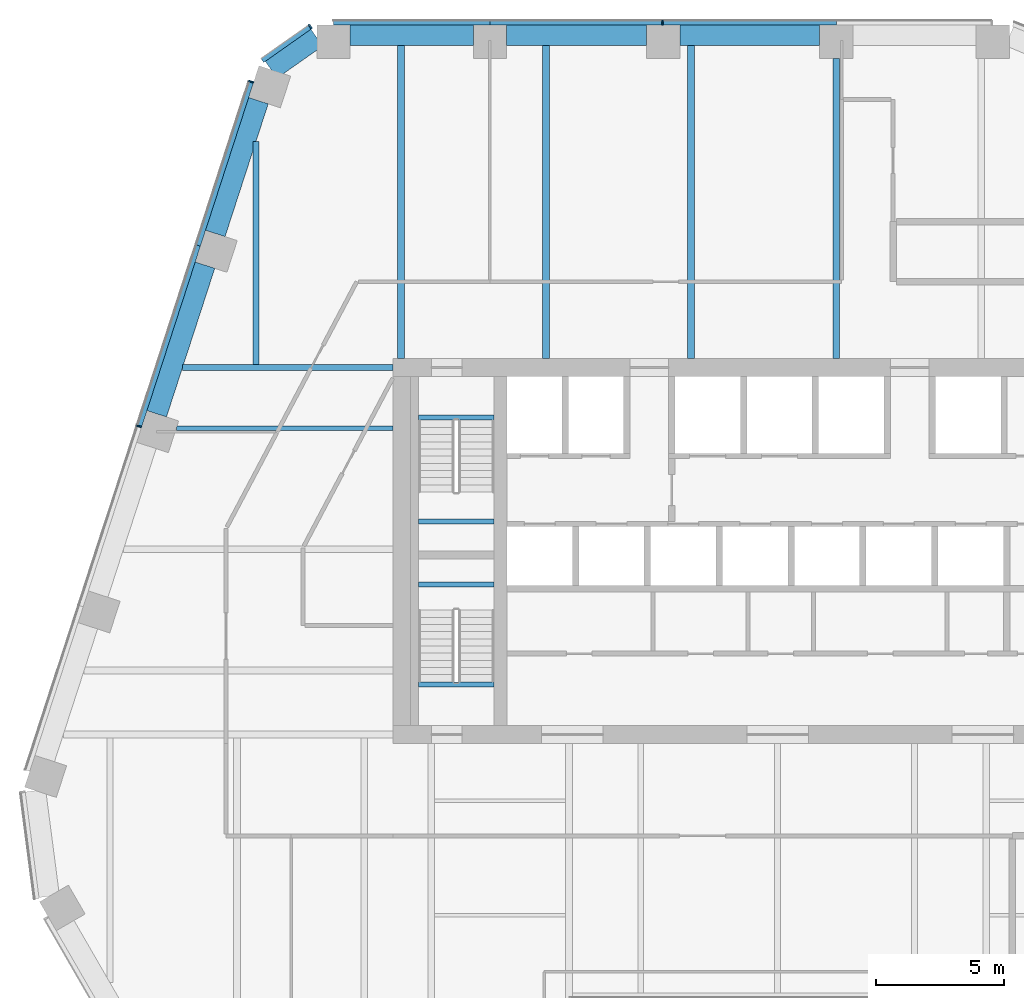
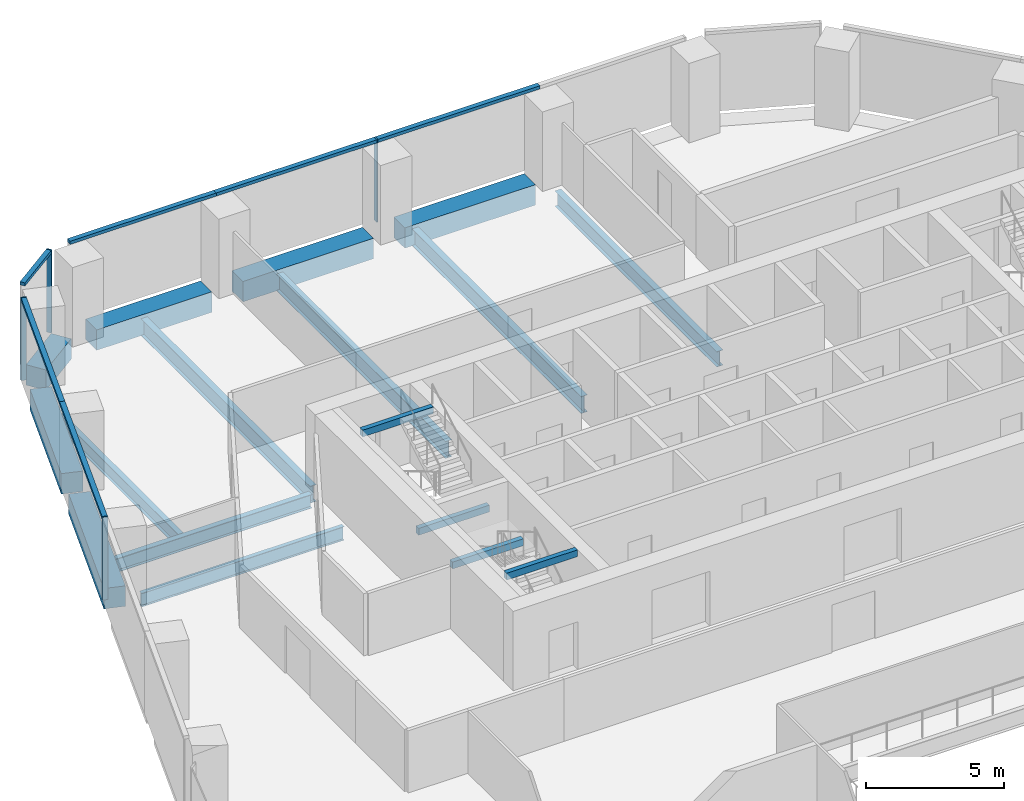
# One storey, part 7 of 16: 17 beams, 10 members, 3 elements without a shape of their own.
"""IFC4 building model written with IfcOpenShell, lengths in metres."""

from ifc_helpers import new_model, si_unit, direction, frame, origin, origin_2d, place, context, subcontext, project, spatial, rectangle, i_section, extrude, material, layer, layer_set, material_profile, profile_set, type_object, element, aggregate, save


model = new_model("IFC4")

# Units and contexts
model_context = context("Model", 3, precision=1e-05, world=origin(), true_north=direction((0.0, 1.0)))
body_context = subcontext(model_context, "Body", "Model", "MODEL_VIEW")
ifc_project = project(units=[si_unit("LENGTHUNIT", "METRE"), si_unit("AREAUNIT", "SQUARE_METRE"), si_unit("VOLUMEUNIT", "CUBIC_METRE"), si_unit("PLANEANGLEUNIT", "RADIAN"), si_unit("MASSUNIT", "GRAM", prefix="KILO")], contexts=[model_context])

# Site, building, storey
site_placement = place(None, origin())
site = spatial("IfcSite", under=ifc_project, at=site_placement, CompositionType="ELEMENT")
building_placement = place(site_placement, origin())
building = spatial("IfcBuilding", under=site, at=building_placement, Name="Isthmus Gate Tower", CompositionType="ELEMENT")
storey_placement = place(building_placement, frame((0.0, 0.0, 178.10009765625)))
storey = spatial("IfcBuildingStorey", under=building, at=storey_placement, Name="L44", CompositionType="ELEMENT", Elevation=178.10009765625)

# Curtain wall, member
ifc_material_1 = material(Name="Aluminium, pale champagne anodised", Category="aluminium")
ifc_layer = layer(ifc_material_1, 0.199951171875)
ifc_layer_set = layer_set([ifc_layer], Name="CW-1 UNITISED CURTAIN WALL 200 DEEP")
curtain_wall_type = type_object("IfcCurtainWallType", Name="CW-1 UNITISED CURTAIN WALL 200 DEEP", PredefinedType="NOTDEFINED", material=ifc_layer_set)
curtain_wall_1_placement = place(storey_placement, origin())
curtain_wall_1 = element("IfcCurtainWall", 1, at=curtain_wall_1_placement, inside=storey, type_object=curtain_wall_type, Name="CW-1 N L44", PredefinedType="NOTDEFINED")
ifc_material_2 = material(Name="Aluminium, pale champagne anodised", Category="aluminium")
ifc_material_profile_1 = material_profile(ifc_material_2, rectangle(XDim=0.06005859375, YDim=0.199951171875, at=origin_2d()), Name="60x200")
ifc_profile_set_1 = profile_set([ifc_material_profile_1], Name="Aluminium, pale champagne anodised")
member_type_1 = type_object("IfcMemberType", Name="CW-1 MULLION 60 X 200", PredefinedType="MULLION", material=ifc_profile_set_1)
member_1_placement = place(storey_placement, frame((-4.49169921875, 28.10009765625, 0.0), z_axis=(0.0, 0.0, 1.0), x_axis=(-1.0, 0.0, 0.0)))
member_1 = element("IfcMember", 2, at=member_1_placement, type_object=member_type_1, Name="CW-1 mullion", PredefinedType="MULLION", context=body_context, shape_type="SweptSolid", body=[
    extrude(rectangle(XDim=0.06005859375, YDim=0.199951171875, at=origin_2d()), origin(), (0.0, 0.0, 1.0), 3.64990234375),
])

curtain_wall_2_placement = place(storey_placement, origin())
curtain_wall_2 = element("IfcCurtainWall", 3, at=curtain_wall_2_placement, inside=storey, type_object=curtain_wall_type, Name="CW-1 N-NW L44", PredefinedType="NOTDEFINED")
member_2_placement = place(storey_placement, frame((-18.216552734375, 27.943115234375, 0.0), z_axis=(0.0, 0.0, 1.0), x_axis=(-0.81785959165, -0.57541783805, 0.0)))
member_2 = element("IfcMember", 4, at=member_2_placement, type_object=member_type_1, Name="CW-1 mullion", PredefinedType="MULLION", context=body_context, shape_type="SweptSolid", body=[
    extrude(rectangle(XDim=0.06005859375, YDim=0.199951171875, at=origin_2d()), origin(), (0.0, 0.0, 1.0), 3.64990234375),
])

# Curtain wall, members
curtain_wall_3_placement = place(storey_placement, origin())
curtain_wall_3 = element("IfcCurtainWall", 5, at=curtain_wall_3_placement, inside=storey, type_object=curtain_wall_type, Name="CW-1 NW L44", PredefinedType="NOTDEFINED")
member_3_placement = place(storey_placement, frame((-20.52001953125, 25.799072265625, 0.0), z_axis=(0.0, 0.0, 1.0), x_axis=(-0.309016994375, -0.951056516295, 0.0)))
member_3 = element("IfcMember", 6, at=member_3_placement, type_object=member_type_1, Name="CW-1 mullion", PredefinedType="MULLION", context=body_context, shape_type="SweptSolid", body=[
    extrude(rectangle(XDim=0.06005859375, YDim=0.199951171875, at=origin_2d()), origin(), (0.0, 0.0, 1.0), 3.64990234375),
])
member_4_placement = place(storey_placement, frame((-24.886962890625, 12.359130859375, 0.0), z_axis=(0.0, 0.0, 1.0), x_axis=(-0.309016994375, -0.951056516295, 0.0)))
member_4 = element("IfcMember", 7, at=member_4_placement, type_object=member_type_1, Name="CW-1 mullion", PredefinedType="MULLION", context=body_context, shape_type="SweptSolid", body=[
    extrude(rectangle(XDim=0.06005859375, YDim=0.199951171875, at=origin_2d()), origin(), (0.0, 0.0, 1.0), 3.64990234375),
])

# Member
ifc_material_3 = material(Name="Aluminium, pale champagne anodised", Category="aluminium")
ifc_material_profile_2 = material_profile(ifc_material_3, rectangle(XDim=0.199951171875, YDim=0.139892578125, at=origin_2d()), Name="200x140")
ifc_profile_set_2 = profile_set([ifc_material_profile_2], Name="Aluminium, pale champagne anodised")
member_type_2 = type_object("IfcMemberType", Name="CW-1 TRANSOM 200 X 140", PredefinedType="USERDEFINED", material=ifc_profile_set_2)
member_5_placement = place(storey_placement, frame((2.288330078125, 28.10009765625, 3.579833984375), z_axis=(-1.0, 0.0, 0.0), x_axis=(0.0, -1.0, 0.0)))
member_5 = element("IfcMember", 8, at=member_5_placement, type_object=member_type_2, Name="CW-1 transom", ObjectType="TRANSOM", PredefinedType="USERDEFINED", context=body_context, shape_type="SweptSolid", body=[
    extrude(rectangle(XDim=0.199951171875, YDim=0.139892578125, at=origin_2d()), origin(), (0.0, 0.0, 1.0), 6.75),
])

member_6_placement = place(storey_placement, frame((-4.521728515625, 28.10009765625, 3.579833984375), z_axis=(-1.0, 0.0, 0.0), x_axis=(0.0, -1.0, 0.0)))
member_6 = element("IfcMember", 9, at=member_6_placement, type_object=member_type_2, Name="CW-1 transom", ObjectType="TRANSOM", PredefinedType="USERDEFINED", context=body_context, shape_type="SweptSolid", body=[
    extrude(rectangle(XDim=0.199951171875, YDim=0.139892578125, at=origin_2d()), origin(), (0.0, 0.0, 1.0), 6.690185546875),
])

member_7_placement = place(storey_placement, frame((-11.2119140625, 28.10009765625, 3.579833984375), z_axis=(-1.0, 0.0, 0.0), x_axis=(0.0, -1.0, 0.0)))
member_7 = element("IfcMember", 10, at=member_7_placement, type_object=member_type_2, Name="CW-1 transom", ObjectType="TRANSOM", PredefinedType="USERDEFINED", context=body_context, shape_type="SweptSolid", body=[
    extrude(rectangle(XDim=0.199951171875, YDim=0.139892578125, at=origin_2d()), origin(), (0.0, 0.0, 1.0), 6.10009765625),
])

aggregate(curtain_wall_1, [member_5, member_1, member_6, member_7])

member_8_placement = place(storey_placement, frame((-18.2412109375, 27.92578125, 3.579833984375), z_axis=(-0.817868595604, -0.575405040233, 0.0), x_axis=(0.575405040233, -0.817868595604, 0.0)))
member_8 = element("IfcMember", 11, at=member_8_placement, type_object=member_type_2, Name="CW-1 transom", ObjectType="TRANSOM", PredefinedType="USERDEFINED", context=body_context, shape_type="SweptSolid", body=[
    extrude(rectangle(XDim=0.199951171875, YDim=0.139892578125, at=origin_2d()), origin(), (0.0, 0.0, 1.0), 2.258544921875),
])

aggregate(curtain_wall_2, [member_2, member_8])

member_9_placement = place(storey_placement, frame((-20.529296875, 25.7705078125, 3.579833984375), z_axis=(-0.309015834351, -0.951056893209, 0.0), x_axis=(0.951056893209, -0.309015834351, 0.0)))
member_9 = element("IfcMember", 12, at=member_9_placement, type_object=member_type_2, Name="CW-1 transom", ObjectType="TRANSOM", PredefinedType="USERDEFINED", context=body_context, shape_type="SweptSolid", body=[
    extrude(rectangle(XDim=0.199951171875, YDim=0.139892578125, at=origin_2d()), origin(), (0.0, 0.0, 1.0), 6.6806640625),
])

member_10_placement = place(storey_placement, frame((-22.59375, 19.416748046875, 3.579833984375), z_axis=(-0.309024076379, -0.951054215183, 0.0), x_axis=(0.951054215183, -0.309024076379, 0.0)))
member_10 = element("IfcMember", 13, at=member_10_placement, type_object=member_type_2, Name="CW-1 transom", ObjectType="TRANSOM", PredefinedType="USERDEFINED", context=body_context, shape_type="SweptSolid", body=[
    extrude(rectangle(XDim=0.199951171875, YDim=0.139892578125, at=origin_2d()), origin(), (0.0, 0.0, 1.0), 7.390869140625),
])

aggregate(curtain_wall_3, [member_3, member_9, member_10, member_4])

# Beams
ifc_material_4 = material(Name="Concrete f'c 60 MPa", Category="concrete")
ifc_material_profile_3 = material_profile(ifc_material_4, rectangle(XDim=0.800048828125, YDim=0.89990234375, at=origin_2d()), Name="RC 800X900")
ifc_profile_set_3 = profile_set([ifc_material_profile_3], Name="Concrete f'c 60 MPa")
beam_type_1 = type_object("IfcBeamType", Name="RC SPANDREL 800 X 900", PredefinedType="SPANDREL", material=ifc_profile_set_3)
beam_1_placement = place(storey_placement, frame((-24.201416015625, 12.851318359375, -0.4501953125), z_axis=(0.309039848514, 0.951049090232, 0.0), x_axis=(-0.951049090232, 0.309039848514, 0.0)))
element("IfcBeam", 14, at=beam_1_placement, inside=storey, type_object=beam_type_1, Name="str-spandrel-L44-23", PredefinedType="SPANDREL", context=body_context, shape_type="SweptSolid", body=[
    extrude(rectangle(XDim=0.800048828125, YDim=0.89990234375, at=origin_2d()), origin(), (0.0, 0.0, 1.0), 6.0908203125),
])
beam_2_placement = place(storey_placement, frame((-21.91748046875, 19.88037109375, -0.4501953125), z_axis=(0.309030267747, 0.951052203413, 0.0), x_axis=(-0.951052203413, 0.309030267747, 0.0)))
element("IfcBeam", 15, at=beam_2_placement, inside=storey, type_object=beam_type_1, Name="str-spandrel-L44-24", PredefinedType="SPANDREL", context=body_context, shape_type="SweptSolid", body=[
    extrude(rectangle(XDim=0.800048828125, YDim=0.89990234375, at=origin_2d()), origin(), (0.0, 0.0, 1.0), 5.44091796875),
])
beam_3_placement = place(storey_placement, frame((-19.7392578125, 26.260498046875, -0.4501953125), z_axis=(0.817857331203, 0.575421050882, 0.0), x_axis=(-0.575421050882, 0.817857331203, 0.0)))
element("IfcBeam", 16, at=beam_3_placement, inside=storey, type_object=beam_type_1, Name="str-spandrel-L44-25", PredefinedType="SPANDREL", context=body_context, shape_type="SweptSolid", body=[
    extrude(rectangle(XDim=0.800048828125, YDim=0.89990234375, at=origin_2d()), origin(), (0.0, 0.0, 1.0), 2.173095703125),
])
beam_4_placement = place(storey_placement, frame((-16.661865234375, 27.60009765625, -0.4501953125), z_axis=(1.0, 0.0, 0.0), x_axis=(0.0, 1.0, 0.0)))
element("IfcBeam", 17, at=beam_4_placement, inside=storey, type_object=beam_type_1, Name="str-spandrel-L44-26", PredefinedType="SPANDREL", context=body_context, shape_type="SweptSolid", body=[
    extrude(rectangle(XDim=0.800048828125, YDim=0.89990234375, at=origin_2d()), origin(), (0.0, 0.0, 1.0), 4.800048828125),
])
beam_5_placement = place(storey_placement, frame((-10.561767578125, 27.60009765625, -0.4501953125), z_axis=(1.0, 0.0, 0.0), x_axis=(0.0, 1.0, 0.0)))
element("IfcBeam", 18, at=beam_5_placement, inside=storey, type_object=beam_type_1, Name="str-spandrel-L44-27", PredefinedType="SPANDREL", context=body_context, shape_type="SweptSolid", body=[
    extrude(rectangle(XDim=0.800048828125, YDim=0.89990234375, at=origin_2d()), origin(), (0.0, 0.0, 1.0), 5.449951171875),
])
beam_6_placement = place(storey_placement, frame((-3.811767578125, 27.60009765625, -0.4501953125), z_axis=(1.0, 0.0, 0.0), x_axis=(0.0, 1.0, 0.0)))
element("IfcBeam", 19, at=beam_6_placement, inside=storey, type_object=beam_type_1, Name="str-spandrel-L44-28", PredefinedType="SPANDREL", context=body_context, shape_type="SweptSolid", body=[
    extrude(rectangle(XDim=0.800048828125, YDim=0.89990234375, at=origin_2d()), origin(), (0.0, 0.0, 1.0), 5.4501953125),
])
ifc_material_5 = material(Name="Concrete f'c 40 MPa", Category="concrete")
ifc_material_profile_4 = material_profile(ifc_material_5, rectangle(XDim=0.199951171875, YDim=0.300048828125, at=origin_2d()), Name="STAIR LANDING BEAM RC 200 X 300")
ifc_profile_set_4 = profile_set([ifc_material_profile_4], Name="Concrete f'c 40 MPa")
beam_type_2 = type_object("IfcBeamType", Name="STAIR LANDING BEAM RC 200 X 300", PredefinedType="BEAM", material=ifc_profile_set_4)
for number, where, z_axis, x_axis, name in (
    (20, (-14.0, 8.64990234375, 1.474853515625), (1.0, 0.0, 0.0), (0.0, 1.0, 0.0), "L44 ST1 landing beam 1"),
    (21, (-14.0, 12.7001953125, 3.349853515625), (1.0, 0.0, 0.0), (0.0, 1.0, 0.0), "L44 ST1 floor-edge seat beam"),
    (22, (-14.0, 6.199951171875, 1.474853515625), (1.0, 0.0, 0.0), (0.0, 1.0, 0.0), "L44 ST7 landing beam 1"),
    (23, (-14.0, 2.2998046875, 3.349853515625), (1.0, 0.0, 0.0), (0.0, 1.0, 0.0), "L44 ST7 floor-edge seat beam"),
):
    element("IfcBeam", number, at=place(storey_placement, frame(where, z_axis=z_axis, x_axis=x_axis)), inside=storey, type_object=beam_type_2, Name=name, PredefinedType="BEAM", context=body_context, shape_type="SweptSolid", body=[
        extrude(rectangle(XDim=0.199951171875, YDim=0.300048828125, at=origin_2d()), origin(), (0.0, 0.0, 1.0), 2.949951171875),
    ])
ifc_material_6 = material(Name="Structural steel ASTM A992 Gr 50", Category="steel")
ifc_material_profile_5 = material_profile(ifc_material_6, i_section(OverallWidth=0.177734375, OverallDepth=0.60009765625, WebThickness=0.009521484375, FlangeThickness=0.0126953125, at=origin_2d()), Name="W24X55")
ifc_profile_set_5 = profile_set([ifc_material_profile_5], Name="Structural steel ASTM A992 Gr 50")
beam_type_3 = type_object("IfcBeamType", Name="STEEL FLOOR BEAM W24X55", PredefinedType="JOIST", material=ifc_profile_set_5)
beam_7_placement = place(storey_placement, frame((-23.43798828125, 12.28857421875, -0.4501953125), z_axis=(1.0, 0.0, 0.0), x_axis=(0.0, 1.0, 0.0)))
element("IfcBeam", 24, at=beam_7_placement, inside=storey, type_object=beam_type_3, Name="str-beam-L44-01-02", PredefinedType="JOIST", context=body_context, shape_type="SweptSolid", body=[
    extrude(i_section(OverallWidth=0.177734375, OverallDepth=0.60009765625, WebThickness=0.009521484375, FlangeThickness=0.0126953125, at=origin_2d()), origin(), (0.0, 0.0, 1.0), 8.43798828125),
])
ifc_material_7 = material(Name="Structural steel ASTM A992 Gr 50", Category="steel")
ifc_material_profile_6 = material_profile(ifc_material_7, i_section(OverallWidth=0.228515625, OverallDepth=0.603271484375, WebThickness=0.010986328125, FlangeThickness=0.014404296875, at=origin_2d()), Name="W24X68")
ifc_profile_set_6 = profile_set([ifc_material_profile_6], Name="Structural steel ASTM A992 Gr 50")
beam_type_4 = type_object("IfcBeamType", Name="STEEL FLOOR BEAM W24X68", PredefinedType="JOIST", material=ifc_profile_set_6)
beam_8_placement = place(storey_placement, frame((-20.332763671875, 14.764404296875, -0.45166015625), z_axis=(0.0, 1.0, 0.0), x_axis=(-1.0, 0.0, 0.0)))
element("IfcBeam", 25, at=beam_8_placement, inside=storey, type_object=beam_type_4, Name="str-beam-L44-05-00", PredefinedType="JOIST", context=body_context, shape_type="SweptSolid", body=[
    extrude(i_section(OverallWidth=0.228515625, OverallDepth=0.603271484375, WebThickness=0.010986328125, FlangeThickness=0.014404296875, at=origin_2d()), origin(), (0.0, 0.0, 1.0), 8.69873046875),
])
ifc_material_8 = material(Name="Structural steel ASTM A992 Gr 50", Category="steel")
ifc_material_profile_7 = material_profile(ifc_material_8, i_section(OverallWidth=0.25390625, OverallDepth=0.679443359375, WebThickness=0.010986328125, FlangeThickness=0.015869140625, at=origin_2d()), Name="W27X84")
ifc_profile_set_7 = profile_set([ifc_material_profile_7], Name="Structural steel ASTM A992 Gr 50")
beam_type_5 = type_object("IfcBeamType", Name="STEEL FLOOR BEAM W27X84", PredefinedType="JOIST", material=ifc_profile_set_7)
beam_9_placement = place(storey_placement, frame((2.2783203125, 15.0, -0.48974609375), z_axis=(0.0, 1.0, 0.0), x_axis=(-1.0, 0.0, 0.0)))
element("IfcBeam", 26, at=beam_9_placement, inside=storey, type_object=beam_type_5, Name="str-beam-L44-05-04", PredefinedType="JOIST", context=body_context, shape_type="SweptSolid", body=[
    extrude(i_section(OverallWidth=0.25390625, OverallDepth=0.679443359375, WebThickness=0.010986328125, FlangeThickness=0.015869140625, at=origin_2d()), origin(), (0.0, 0.0, 1.0), 11.699951171875),
])
ifc_material_9 = material(Name="Structural steel ASTM A992 Gr 50", Category="steel")
ifc_material_profile_8 = material_profile(ifc_material_9, i_section(OverallWidth=0.263427734375, OverallDepth=0.749267578125, WebThickness=0.0126953125, FlangeThickness=0.015869140625, at=origin_2d()), Name="W30X90")
ifc_profile_set_8 = profile_set([ifc_material_profile_8], Name="Structural steel ASTM A992 Gr 50")
beam_type_6 = type_object("IfcBeamType", Name="STEEL FLOOR BEAM W30X90", PredefinedType="JOIST", material=ifc_profile_set_8)
for number, where, z_axis, x_axis, name in (
    (27, (-14.679931640625, 15.0, -0.524658203125), (0.0, 1.0, 0.0), (-1.0, 0.0, 0.0), "str-beam-L44-05-01"),
    (28, (-9.027099609375, 15.0, -0.524658203125), (0.0, 1.0, 0.0), (-1.0, 0.0, 0.0), "str-beam-L44-05-02"),
    (29, (-3.37451171875, 15.0, -0.524658203125), (0.0, 1.0, 0.0), (-1.0, 0.0, 0.0), "str-beam-L44-05-03"),
):
    element("IfcBeam", number, at=place(storey_placement, frame(where, z_axis=z_axis, x_axis=x_axis)), inside=storey, type_object=beam_type_6, Name=name, PredefinedType="JOIST", context=body_context, shape_type="SweptSolid", body=[
        extrude(i_section(OverallWidth=0.263427734375, OverallDepth=0.749267578125, WebThickness=0.0126953125, FlangeThickness=0.015869140625, at=origin_2d()), origin(), (0.0, 0.0, 1.0), 12.199951171875),
    ])
ifc_material_10 = material(Name="Structural steel ASTM A992 Gr 50", Category="steel")
ifc_material_profile_9 = material_profile(ifc_material_10, i_section(OverallWidth=0.228515625, OverallDepth=0.6064453125, WebThickness=0.010986328125, FlangeThickness=0.017578125, at=origin_2d()), Name="W24X76")
ifc_profile_set_9 = profile_set([ifc_material_profile_9], Name="Structural steel ASTM A992 Gr 50")
beam_type_7 = type_object("IfcBeamType", Name="STEEL GIRDER W24X76", PredefinedType="BEAM", material=ifc_profile_set_9)
beam_10_placement = place(storey_placement, frame((-15.0, 14.64990234375, -0.453369140625), z_axis=(-1.0, 0.0, 0.0), x_axis=(0.0, -1.0, 0.0)))
element("IfcBeam", 30, at=beam_10_placement, inside=storey, type_object=beam_type_7, Name="str-girder-L44-15", PredefinedType="BEAM", context=body_context, shape_type="SweptSolid", body=[
    extrude(i_section(OverallWidth=0.228515625, OverallDepth=0.6064453125, WebThickness=0.010986328125, FlangeThickness=0.017578125, at=origin_2d()), origin(), (0.0, 0.0, 1.0), 8.1962890625),
])

save(model, "model.ifc")
